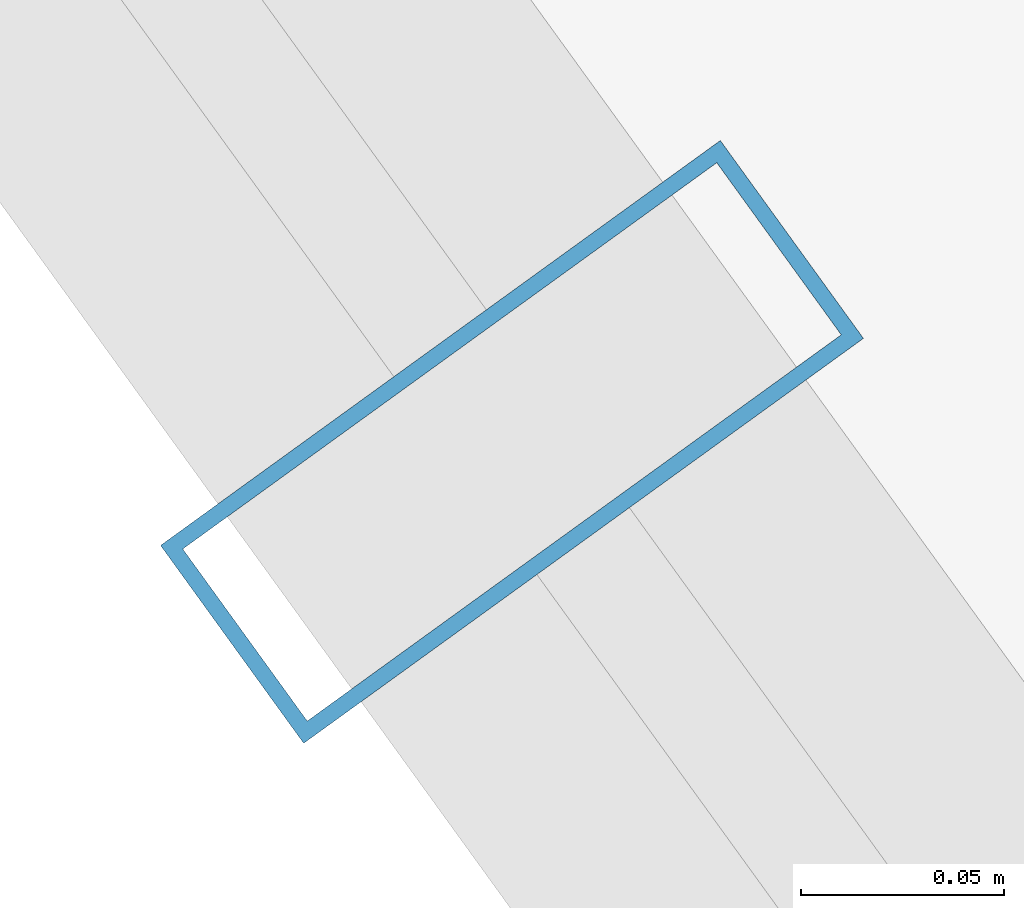
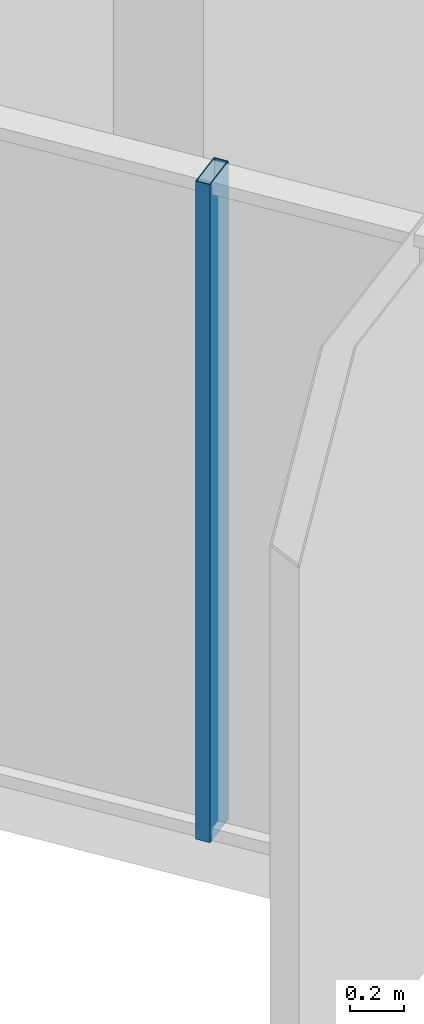
# One storey, part 4 of 37: 1 member, 1 element without a shape of its own.
"""IFC4 building model written with IfcOpenShell, lengths in metres."""

from ifc_helpers import new_model, si_unit, direction, frame, origin, origin_2d, place, context, subcontext, project, spatial, hollow_rectangle, extrude, source, transform, mapped, material, layer, layer_set, material_profile, profile_set, type_object, element, aggregate, save


model = new_model("IFC4")

# Units and contexts
model_context = context("Model", 3, precision=1e-05, world=origin(), true_north=direction((0.0, 1.0)))
body_context = subcontext(model_context, "Body", "Model", "MODEL_VIEW")
ifc_project = project(units=[si_unit("LENGTHUNIT", "METRE"), si_unit("AREAUNIT", "SQUARE_METRE"), si_unit("VOLUMEUNIT", "CUBIC_METRE"), si_unit("PLANEANGLEUNIT", "RADIAN"), si_unit("MASSUNIT", "GRAM", prefix="KILO")], contexts=[model_context])

# Site, building, storey
site_placement = place(None, origin())
site = spatial("IfcSite", under=ifc_project, at=site_placement, CompositionType="ELEMENT")
building_placement = place(site_placement, origin())
building = spatial("IfcBuilding", under=site, at=building_placement, Name="Veraguas Prism Commons", CompositionType="ELEMENT")
storey_placement = place(building_placement, frame((0.0, 0.0, 43.550048828125)))
storey = spatial("IfcBuildingStorey", under=building, at=storey_placement, Name="L11", CompositionType="ELEMENT", Elevation=43.550048828125)

# Curtain wall, member
ifc_material = material(Name="Anodised aluminium EN AW-6063 T6", Category="aluminium")
ifc_layer = layer(ifc_material, 0.169921875, Name="Unitised Flush Curtain Wall Zone 1", Category="aluminium")
ifc_layer_set = layer_set([ifc_layer], Name="Anodised aluminium EN AW-6063 T6")
curtain_wall_type = type_object("IfcCurtainWallType", Name="Unitised Flush Curtain Wall Zone 1", PredefinedType="NOTDEFINED", material=ifc_layer_set)
curtain_wall_placement = place(storey_placement, origin())
curtain_wall = element("IfcCurtainWall", 1, at=curtain_wall_placement, inside=storey, type_object=curtain_wall_type, Name="Tower Facade Curtain Wall L11-F4", PredefinedType="NOTDEFINED")
ifc_material_profile = material_profile(ifc_material, hollow_rectangle(XDim=0.06005859375, YDim=0.169921875, WallThickness=0.00390625, at=origin_2d()), Name="AL60X170X4")
ifc_profile_set = profile_set([ifc_material_profile], Name="Anodised aluminium EN AW-6063 T6")
member_type = type_object("IfcMemberType", Name="Curtain Wall Mullion Lower AL 60x170x4", PredefinedType="MULLION", material=ifc_profile_set)
shared_shape = source(origin(), body_context, "Body", "SweptSolid", [
    extrude(hollow_rectangle(XDim=0.06005859375, YDim=0.169921875, WallThickness=0.00390625, at=origin_2d()), origin(), (0.0, 0.0, 1.0), 3.0),
])
member_placement = place(storey_placement, frame((4.421875, 15.60302734375, 0.0), z_axis=(0.0, 0.0, 1.0), x_axis=(0.586086734847, -0.81024831949, 0.0)))
member = element("IfcMember", 2, at=member_placement, type_object=member_type, Name="CW-Z1 Mullion 2", PredefinedType="MULLION", context=body_context, shape_type="MappedRepresentation", body=[
    mapped(shared_shape, transform((0.0, 0.0, 0.0), scale=1.0)),
])
aggregate(curtain_wall, [member])

save(model, "model.ifc")
